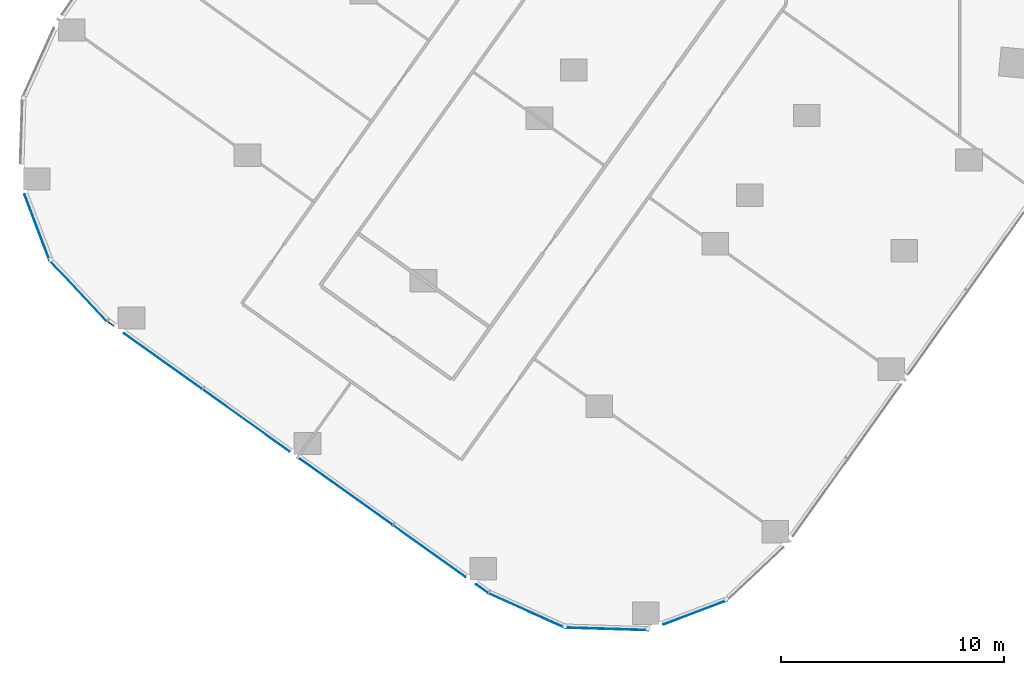
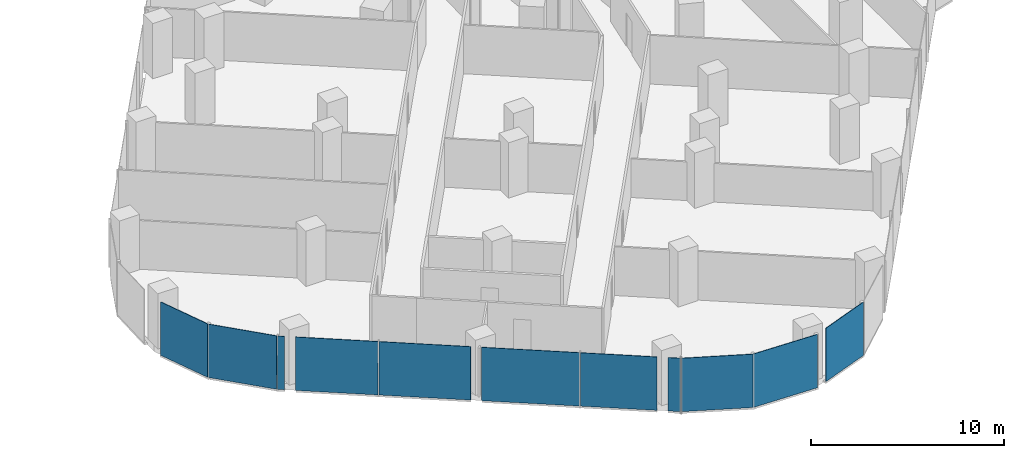
# One storey, part 16 of 31: 11 plates, 6 elements without a shape of their own.
"""IFC4 building model written with IfcOpenShell, lengths in metres."""

from ifc_helpers import new_model, si_unit, direction, frame, origin, origin_2d, place, context, subcontext, project, spatial, rectangle, extrude, material, layer, layer_set, type_object, element, aggregate, save


model = new_model("IFC4")

# Units and contexts
model_context = context("Model", 3, precision=1e-05, world=origin(), true_north=direction((0.0, 1.0)))
body_context = subcontext(model_context, "Body", "Model", "MODEL_VIEW")
ifc_project = project(units=[si_unit("LENGTHUNIT", "METRE"), si_unit("AREAUNIT", "SQUARE_METRE"), si_unit("VOLUMEUNIT", "CUBIC_METRE"), si_unit("PLANEANGLEUNIT", "RADIAN"), si_unit("MASSUNIT", "GRAM", prefix="KILO")], contexts=[model_context])

# Site, building, storey
site_placement = place(None, origin())
site = spatial("IfcSite", under=ifc_project, at=site_placement, CompositionType="ELEMENT")
building_placement = place(site_placement, origin())
building = spatial("IfcBuilding", under=site, at=building_placement, Name="Orlundy Tower", CompositionType="ELEMENT")
storey_placement = place(building_placement, frame((0.0, 0.0, 91.199951171875)))
storey = spatial("IfcBuildingStorey", under=building, at=storey_placement, Name="L22", CompositionType="ELEMENT", Elevation=91.199951171875)

# Curtain wall, plate
ifc_material_1 = material(Name="Aluminium bronze anodised", Category="aluminium")
curtain_wall_type = type_object("IfcCurtainWallType", Name="CW1 wall", PredefinedType="NOTDEFINED", material=ifc_material_1)
curtain_wall_1_placement = place(storey_placement, origin())
curtain_wall_1 = element("IfcCurtainWall", 1, at=curtain_wall_1_placement, inside=storey, type_object=curtain_wall_type, Name="CW1 run 020", PredefinedType="NOTDEFINED")
ifc_material_2 = material(Name="Tinted glass", Category="glass")
ifc_layer = layer(ifc_material_2, 0.031982421875)
ifc_layer_set = layer_set([ifc_layer], Name="CW1 glass panel 32")
plate_type = type_object("IfcPlateType", Name="CW1 glass panel 32", PredefinedType="CURTAIN_PANEL", material=ifc_layer_set)
plate_1_placement = place(storey_placement, frame((-17.37158203125, -56.3564453125, -0.27978515625), z_axis=(0.0, 0.0, 1.0), x_axis=(-0.935182458523, -0.354166301715, 0.0)))
plate_1 = element("IfcPlate", 2, at=plate_1_placement, type_object=plate_type, Name="CW1 panel", PredefinedType="CURTAIN_PANEL", context=body_context, shape_type="SweptSolid", body=[
    extrude(rectangle(XDim=3.052490234375, YDim=0.031982421875, at=origin_2d()), origin(), (0.0, 0.0, 1.0), 3.3798828125),
])
aggregate(curtain_wall_1, [plate_1])

curtain_wall_2_placement = place(storey_placement, origin())
curtain_wall_2 = element("IfcCurtainWall", 3, at=curtain_wall_2_placement, inside=storey, type_object=curtain_wall_type, Name="CW1 run 021", PredefinedType="NOTDEFINED")
plate_2_placement = place(storey_placement, frame((-21.357421875, -57.094482421875, -0.27978515625), z_axis=(0.0, 0.0, 1.0), x_axis=(-0.999535219812, 0.030485149754, 0.0)))
plate_2 = element("IfcPlate", 4, at=plate_2_placement, type_object=plate_type, Name="CW1 panel", PredefinedType="CURTAIN_PANEL", context=body_context, shape_type="SweptSolid", body=[
    extrude(rectangle(XDim=3.77197265625, YDim=0.031982421875, at=origin_2d()), origin(), (0.0, 0.0, 1.0), 3.3798828125),
])
aggregate(curtain_wall_2, [plate_2])

curtain_wall_3_placement = place(storey_placement, origin())
curtain_wall_3 = element("IfcCurtainWall", 5, at=curtain_wall_3_placement, inside=storey, type_object=curtain_wall_type, Name="CW1 run 022", PredefinedType="NOTDEFINED")
plate_3_placement = place(storey_placement, frame((-24.94287109375, -56.2705078125, -0.27978515625), z_axis=(0.0, 0.0, 1.0), x_axis=(-0.911673970719, 0.410914311157, 0.0)))
plate_3 = element("IfcPlate", 6, at=plate_3_placement, type_object=plate_type, Name="CW1 panel", PredefinedType="CURTAIN_PANEL", context=body_context, shape_type="SweptSolid", body=[
    extrude(rectangle(XDim=3.72998046875, YDim=0.031982421875, at=origin_2d()), origin(), (0.0, 0.0, 1.0), 3.3798828125),
])
aggregate(curtain_wall_3, [plate_3])

# Curtain wall, plates
curtain_wall_4_placement = place(storey_placement, origin())
curtain_wall_4 = element("IfcCurtainWall", 7, at=curtain_wall_4_placement, inside=storey, type_object=curtain_wall_type, Name="CW1 run 023", PredefinedType="NOTDEFINED")
plate_4_placement = place(storey_placement, frame((-26.953857421875, -55.28857421875, -0.27978515625), z_axis=(0.0, 0.0, 1.0), x_axis=(-0.814141892545, 0.580665978686, 0.0)))
plate_4 = element("IfcPlate", 8, at=plate_4_placement, type_object=plate_type, Name="CW1 panel", PredefinedType="CURTAIN_PANEL", context=body_context, shape_type="SweptSolid", body=[
    extrude(rectangle(XDim=0.65673828125, YDim=0.031982421875, at=origin_2d()), origin(), (0.0, 0.0, 1.0), 3.3798828125),
])
plate_5_placement = place(storey_placement, frame((-29.31005859375, -53.608154296875, -0.27978515625), z_axis=(0.0, 0.0, 1.0), x_axis=(-0.814141892545, 0.580665978686, 0.0)))
plate_5 = element("IfcPlate", 9, at=plate_5_placement, type_object=plate_type, Name="CW1 panel", PredefinedType="CURTAIN_PANEL", context=body_context, shape_type="SweptSolid", body=[
    extrude(rectangle(XDim=3.987060546875, YDim=0.031982421875, at=origin_2d()), origin(), (0.0, 0.0, 1.0), 3.3798828125),
])
plate_6_placement = place(storey_placement, frame((-33.045654296875, -50.94384765625, -0.27978515625), z_axis=(0.0, 0.0, 1.0), x_axis=(-0.814141892545, 0.580665978686, 0.0)))
plate_6 = element("IfcPlate", 10, at=plate_6_placement, type_object=plate_type, Name="CW1 panel", PredefinedType="CURTAIN_PANEL", context=body_context, shape_type="SweptSolid", body=[
    extrude(rectangle(XDim=5.08984375, YDim=0.031982421875, at=origin_2d()), origin(), (0.0, 0.0, 1.0), 3.3798828125),
])
plate_7_placement = place(storey_placement, frame((-37.53271484375, -47.743408203125, -0.27978515625), z_axis=(0.0, 0.0, 1.0), x_axis=(-0.814141892545, 0.580665978686, 0.0)))
plate_7 = element("IfcPlate", 11, at=plate_7_placement, type_object=plate_type, Name="CW1 panel", PredefinedType="CURTAIN_PANEL", context=body_context, shape_type="SweptSolid", body=[
    extrude(rectangle(XDim=4.787353515625, YDim=0.031982421875, at=origin_2d()), origin(), (0.0, 0.0, 1.0), 3.3798828125),
])
plate_8_placement = place(storey_placement, frame((-41.26904296875, -45.078857421875, -0.27978515625), z_axis=(0.0, 0.0, 1.0), x_axis=(-0.814141892545, 0.580665978686, 0.0)))
plate_8 = element("IfcPlate", 12, at=plate_8_placement, type_object=plate_type, Name="CW1 panel", PredefinedType="CURTAIN_PANEL", context=body_context, shape_type="SweptSolid", body=[
    extrude(rectangle(XDim=4.290771484375, YDim=0.031982421875, at=origin_2d()), origin(), (0.0, 0.0, 1.0), 3.3798828125),
])
plate_9_placement = place(storey_placement, frame((-43.625, -43.3984375, -0.27978515625), z_axis=(0.0, 0.0, 1.0), x_axis=(-0.814141892545, 0.580665978686, 0.0)))
plate_9 = element("IfcPlate", 13, at=plate_9_placement, type_object=plate_type, Name="CW1 panel", PredefinedType="CURTAIN_PANEL", context=body_context, shape_type="SweptSolid", body=[
    extrude(rectangle(XDim=0.353759765625, YDim=0.031982421875, at=origin_2d()), origin(), (0.0, 0.0, 1.0), 3.3798828125),
])
aggregate(curtain_wall_4, [plate_4, plate_5, plate_6, plate_7, plate_8, plate_9])

# Curtain wall, plate
curtain_wall_5_placement = place(storey_placement, origin())
curtain_wall_5 = element("IfcCurtainWall", 14, at=curtain_wall_5_placement, inside=storey, type_object=curtain_wall_type, Name="CW1 run 024", PredefinedType="NOTDEFINED")
plate_10_placement = place(storey_placement, frame((-45.084716796875, -41.904296875, -0.27978515625), z_axis=(0.0, 0.0, 1.0), x_axis=(-0.685196388583, 0.728358365828, 0.0)))
plate_10 = element("IfcPlate", 15, at=plate_10_placement, type_object=plate_type, Name="CW1 panel", PredefinedType="CURTAIN_PANEL", context=body_context, shape_type="SweptSolid", body=[
    extrude(rectangle(XDim=3.730712890625, YDim=0.031982421875, at=origin_2d()), origin(), (0.0, 0.0, 1.0), 3.3798828125),
])
aggregate(curtain_wall_5, [plate_10])

curtain_wall_6_placement = place(storey_placement, origin())
curtain_wall_6 = element("IfcCurtainWall", 16, at=curtain_wall_6_placement, inside=storey, type_object=curtain_wall_type, Name="CW1 run 025", PredefinedType="NOTDEFINED")
plate_11_placement = place(storey_placement, frame((-46.92236328125, -39.068359375, -0.27978515625), z_axis=(0.0, 0.0, 1.0), x_axis=(-0.354166301715, 0.935182458523, 0.0)))
plate_11 = element("IfcPlate", 17, at=plate_11_placement, type_object=plate_type, Name="CW1 panel", PredefinedType="CURTAIN_PANEL", context=body_context, shape_type="SweptSolid", body=[
    extrude(rectangle(XDim=3.159423828125, YDim=0.031982421875, at=origin_2d()), origin(), (0.0, 0.0, 1.0), 3.3798828125),
])
aggregate(curtain_wall_6, [plate_11])

save(model, "model.ifc")
